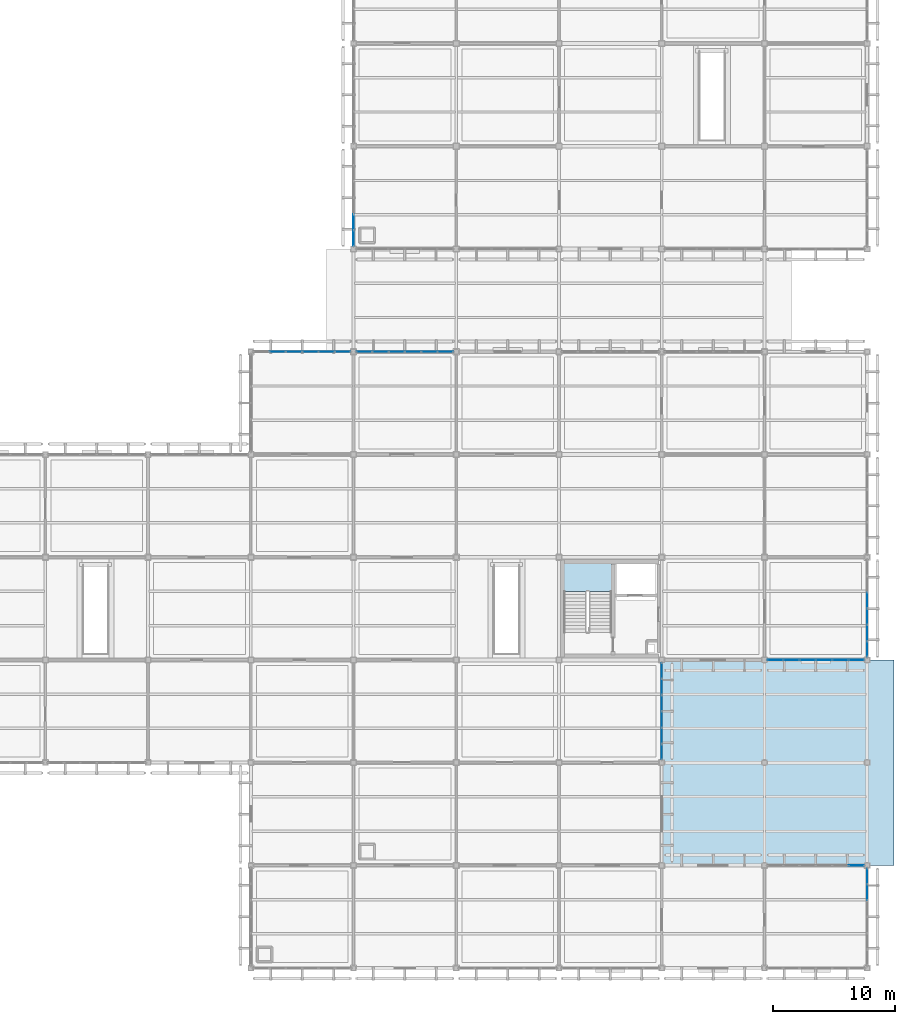
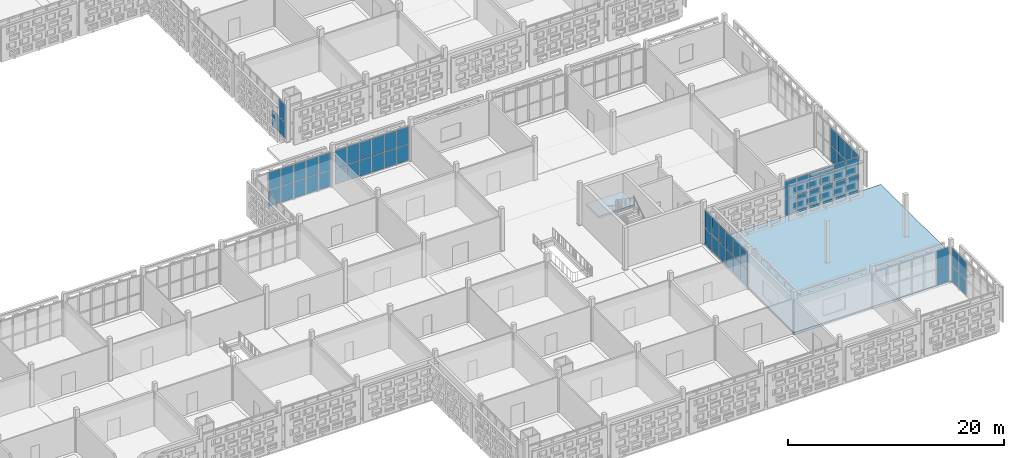
# One storey, part 103 of 203: 63 plates, 2 slabs, 9 elements without a shape of their own.
"""IFC4 building model written with IfcOpenShell, lengths in metres."""

from ifc_helpers import new_model, si_unit, direction, frame, origin, origin_2d, place, context, subcontext, project, spatial, polyline, rectangle, outline, extrude, material, layer, layer_set, type_object, element, aggregate, save


model = new_model("IFC4")

# Units and contexts
model_context = context("Model", 3, precision=1e-05, world=origin(), true_north=direction((0.0, 1.0)))
body_context = subcontext(model_context, "Body", "Model", "MODEL_VIEW")
ifc_project = project(units=[si_unit("LENGTHUNIT", "METRE"), si_unit("AREAUNIT", "SQUARE_METRE"), si_unit("VOLUMEUNIT", "CUBIC_METRE"), si_unit("PLANEANGLEUNIT", "RADIAN"), si_unit("MASSUNIT", "GRAM", prefix="KILO")], contexts=[model_context])

# Site, building, storey
site_placement = place(None, origin())
site = spatial("IfcSite", under=ifc_project, at=site_placement, CompositionType="ELEMENT")
building_placement = place(site_placement, origin())
building = spatial("IfcBuilding", under=site, at=building_placement, Name="Varnapada Polytechnic", CompositionType="ELEMENT")
storey_placement = place(building_placement, frame((0.0, 0.0, 4.800048828125)))
storey = spatial("IfcBuildingStorey", under=building, at=storey_placement, Name="L01", CompositionType="ELEMENT", Elevation=4.800048828125)

# Curtain wall, plates
ifc_material_1 = material(Name="Double low-E laminated glass", Category="glass")
ifc_layer_1 = layer(ifc_material_1, 0.159912109375)
ifc_layer_set_1 = layer_set([ifc_layer_1], Name="Double low-E laminated glass")
curtain_wall_type_1 = type_object("IfcCurtainWallType", Name="Curtain Wall CW-01", PredefinedType="NOTDEFINED", material=ifc_layer_set_1)
curtain_wall_1_placement = place(storey_placement, origin())
curtain_wall_1 = element("IfcCurtainWall", 1, at=curtain_wall_1_placement, inside=storey, type_object=curtain_wall_type_1, Name="L01 unitised curtain wall CW-01 (94)", PredefinedType="NOTDEFINED")
ifc_layer_2 = layer(ifc_material_1, 0.028076171875)
ifc_layer_set_2 = layer_set([ifc_layer_2], Name="Double low-E laminated glass")
plate_type_1 = type_object("IfcPlateType", Name="Curtain Panel PNL-01", PredefinedType="CURTAIN_PANEL", material=ifc_layer_set_2)
plate_1_placement = place(storey_placement, frame((128.1875, 50.39990234375, 0.06005859375), z_axis=(0.0, 0.0, 1.0), x_axis=(1.0, 0.0, 0.0)))
plate_1 = element("IfcPlate", 2, at=plate_1_placement, type_object=plate_type_1, Name="CW-01 panel 2.1", PredefinedType="CURTAIN_PANEL", context=body_context, shape_type="SweptSolid", body=[
    extrude(rectangle(XDim=1.2783203125, YDim=0.028076171875, at=origin_2d()), origin(), (0.0, 0.0, 1.0), 1.810791015625),
])
plate_2_placement = place(storey_placement, frame((128.1875, 50.39990234375, 1.9306640625), z_axis=(0.0, 0.0, 1.0), x_axis=(1.0, 0.0, 0.0)))
plate_2 = element("IfcPlate", 3, at=plate_2_placement, type_object=plate_type_1, Name="CW-01 panel 2.2", PredefinedType="CURTAIN_PANEL", context=body_context, shape_type="SweptSolid", body=[
    extrude(rectangle(XDim=1.2783203125, YDim=0.028076171875, at=origin_2d()), origin(), (0.0, 0.0, 1.0), 1.96923828125),
])
plate_3_placement = place(storey_placement, frame((129.52587890625, 50.39990234375, 0.06005859375), z_axis=(0.0, 0.0, 1.0), x_axis=(1.0, 0.0, 0.0)))
plate_3 = element("IfcPlate", 4, at=plate_3_placement, type_object=plate_type_1, Name="CW-01 panel 3.1", PredefinedType="CURTAIN_PANEL", context=body_context, shape_type="SweptSolid", body=[
    extrude(rectangle(XDim=1.2783203125, YDim=0.028076171875, at=origin_2d()), origin(), (0.0, 0.0, 1.0), 1.810791015625),
])
plate_4_placement = place(storey_placement, frame((129.52587890625, 50.39990234375, 1.9306640625), z_axis=(0.0, 0.0, 1.0), x_axis=(1.0, 0.0, 0.0)))
plate_4 = element("IfcPlate", 5, at=plate_4_placement, type_object=plate_type_1, Name="CW-01 panel 3.2", PredefinedType="CURTAIN_PANEL", context=body_context, shape_type="SweptSolid", body=[
    extrude(rectangle(XDim=1.2783203125, YDim=0.028076171875, at=origin_2d()), origin(), (0.0, 0.0, 1.0), 1.96923828125),
])
plate_5_placement = place(storey_placement, frame((130.8642578125, 50.39990234375, 0.06005859375), z_axis=(0.0, 0.0, 1.0), x_axis=(1.0, 0.0, 0.0)))
plate_5 = element("IfcPlate", 6, at=plate_5_placement, type_object=plate_type_1, Name="CW-01 panel 4.1", PredefinedType="CURTAIN_PANEL", context=body_context, shape_type="SweptSolid", body=[
    extrude(rectangle(XDim=1.2783203125, YDim=0.028076171875, at=origin_2d()), origin(), (0.0, 0.0, 1.0), 1.810791015625),
])
plate_6_placement = place(storey_placement, frame((130.8642578125, 50.39990234375, 1.9306640625), z_axis=(0.0, 0.0, 1.0), x_axis=(1.0, 0.0, 0.0)))
plate_6 = element("IfcPlate", 7, at=plate_6_placement, type_object=plate_type_1, Name="CW-01 panel 4.2", PredefinedType="CURTAIN_PANEL", context=body_context, shape_type="SweptSolid", body=[
    extrude(rectangle(XDim=1.2783203125, YDim=0.028076171875, at=origin_2d()), origin(), (0.0, 0.0, 1.0), 1.96923828125),
])
plate_7_placement = place(storey_placement, frame((132.202392578125, 50.39990234375, 0.06005859375), z_axis=(0.0, 0.0, 1.0), x_axis=(1.0, 0.0, 0.0)))
plate_7 = element("IfcPlate", 8, at=plate_7_placement, type_object=plate_type_1, Name="CW-01 panel 5.1", PredefinedType="CURTAIN_PANEL", context=body_context, shape_type="SweptSolid", body=[
    extrude(rectangle(XDim=1.2783203125, YDim=0.028076171875, at=origin_2d()), origin(), (0.0, 0.0, 1.0), 1.810791015625),
])
plate_8_placement = place(storey_placement, frame((132.202392578125, 50.39990234375, 1.9306640625), z_axis=(0.0, 0.0, 1.0), x_axis=(1.0, 0.0, 0.0)))
plate_8 = element("IfcPlate", 9, at=plate_8_placement, type_object=plate_type_1, Name="CW-01 panel 5.2", PredefinedType="CURTAIN_PANEL", context=body_context, shape_type="SweptSolid", body=[
    extrude(rectangle(XDim=1.2783203125, YDim=0.028076171875, at=origin_2d()), origin(), (0.0, 0.0, 1.0), 1.96923828125),
])
plate_9_placement = place(storey_placement, frame((133.52587890625, 50.39990234375, 0.06005859375), z_axis=(0.0, 0.0, 1.0), x_axis=(1.0, 0.0, 0.0)))
plate_9 = element("IfcPlate", 10, at=plate_9_placement, type_object=plate_type_1, Name="CW-01 panel 6.1", PredefinedType="CURTAIN_PANEL", context=body_context, shape_type="SweptSolid", body=[
    extrude(rectangle(XDim=1.248291015625, YDim=0.028076171875, at=origin_2d()), origin(), (0.0, 0.0, 1.0), 1.810791015625),
])
plate_10_placement = place(storey_placement, frame((133.52587890625, 50.39990234375, 1.9306640625), z_axis=(0.0, 0.0, 1.0), x_axis=(1.0, 0.0, 0.0)))
plate_10 = element("IfcPlate", 11, at=plate_10_placement, type_object=plate_type_1, Name="CW-01 panel 6.2", PredefinedType="CURTAIN_PANEL", context=body_context, shape_type="SweptSolid", body=[
    extrude(rectangle(XDim=1.248291015625, YDim=0.028076171875, at=origin_2d()), origin(), (0.0, 0.0, 1.0), 1.96923828125),
])
aggregate(curtain_wall_1, [plate_1, plate_2, plate_3, plate_4, plate_5, plate_6, plate_7, plate_8, plate_9, plate_10])

curtain_wall_2_placement = place(storey_placement, origin())
curtain_wall_2 = element("IfcCurtainWall", 12, at=curtain_wall_2_placement, inside=storey, type_object=curtain_wall_type_1, Name="L01 unitised curtain wall CW-01 (100)", PredefinedType="NOTDEFINED")
plate_11_placement = place(storey_placement, frame((135.2724609375, 50.39990234375, 0.06005859375), z_axis=(0.0, 0.0, 1.0), x_axis=(1.0, 0.0, 0.0)))
plate_11 = element("IfcPlate", 13, at=plate_11_placement, type_object=plate_type_1, Name="CW-01 panel 1.1", PredefinedType="CURTAIN_PANEL", context=body_context, shape_type="SweptSolid", body=[
    extrude(rectangle(XDim=1.2451171875, YDim=0.028076171875, at=origin_2d()), origin(), (0.0, 0.0, 1.0), 1.810791015625),
])
plate_12_placement = place(storey_placement, frame((135.2724609375, 50.39990234375, 1.9306640625), z_axis=(0.0, 0.0, 1.0), x_axis=(1.0, 0.0, 0.0)))
plate_12 = element("IfcPlate", 14, at=plate_12_placement, type_object=plate_type_1, Name="CW-01 panel 1.2", PredefinedType="CURTAIN_PANEL", context=body_context, shape_type="SweptSolid", body=[
    extrude(rectangle(XDim=1.2451171875, YDim=0.028076171875, at=origin_2d()), origin(), (0.0, 0.0, 1.0), 1.96923828125),
])
plate_13_placement = place(storey_placement, frame((136.592529296875, 50.39990234375, 0.06005859375), z_axis=(0.0, 0.0, 1.0), x_axis=(1.0, 0.0, 0.0)))
plate_13 = element("IfcPlate", 15, at=plate_13_placement, type_object=plate_type_1, Name="CW-01 panel 2.1", PredefinedType="CURTAIN_PANEL", context=body_context, shape_type="SweptSolid", body=[
    extrude(rectangle(XDim=1.27490234375, YDim=0.028076171875, at=origin_2d()), origin(), (0.0, 0.0, 1.0), 1.810791015625),
])
plate_14_placement = place(storey_placement, frame((136.592529296875, 50.39990234375, 1.9306640625), z_axis=(0.0, 0.0, 1.0), x_axis=(1.0, 0.0, 0.0)))
plate_14 = element("IfcPlate", 16, at=plate_14_placement, type_object=plate_type_1, Name="CW-01 panel 2.2", PredefinedType="CURTAIN_PANEL", context=body_context, shape_type="SweptSolid", body=[
    extrude(rectangle(XDim=1.27490234375, YDim=0.028076171875, at=origin_2d()), origin(), (0.0, 0.0, 1.0), 1.96923828125),
])
plate_15_placement = place(storey_placement, frame((137.927490234375, 50.39990234375, 0.06005859375), z_axis=(0.0, 0.0, 1.0), x_axis=(1.0, 0.0, 0.0)))
plate_15 = element("IfcPlate", 17, at=plate_15_placement, type_object=plate_type_1, Name="CW-01 panel 3.1", PredefinedType="CURTAIN_PANEL", context=body_context, shape_type="SweptSolid", body=[
    extrude(rectangle(XDim=1.27490234375, YDim=0.028076171875, at=origin_2d()), origin(), (0.0, 0.0, 1.0), 1.810791015625),
])
plate_16_placement = place(storey_placement, frame((137.927490234375, 50.39990234375, 1.9306640625), z_axis=(0.0, 0.0, 1.0), x_axis=(1.0, 0.0, 0.0)))
plate_16 = element("IfcPlate", 18, at=plate_16_placement, type_object=plate_type_1, Name="CW-01 panel 3.2", PredefinedType="CURTAIN_PANEL", context=body_context, shape_type="SweptSolid", body=[
    extrude(rectangle(XDim=1.27490234375, YDim=0.028076171875, at=origin_2d()), origin(), (0.0, 0.0, 1.0), 1.96923828125),
])
plate_17_placement = place(storey_placement, frame((139.262451171875, 50.39990234375, 0.06005859375), z_axis=(0.0, 0.0, 1.0), x_axis=(1.0, 0.0, 0.0)))
plate_17 = element("IfcPlate", 19, at=plate_17_placement, type_object=plate_type_1, Name="CW-01 panel 4.1", PredefinedType="CURTAIN_PANEL", context=body_context, shape_type="SweptSolid", body=[
    extrude(rectangle(XDim=1.27490234375, YDim=0.028076171875, at=origin_2d()), origin(), (0.0, 0.0, 1.0), 1.810791015625),
])
plate_18_placement = place(storey_placement, frame((139.262451171875, 50.39990234375, 1.9306640625), z_axis=(0.0, 0.0, 1.0), x_axis=(1.0, 0.0, 0.0)))
plate_18 = element("IfcPlate", 20, at=plate_18_placement, type_object=plate_type_1, Name="CW-01 panel 4.2", PredefinedType="CURTAIN_PANEL", context=body_context, shape_type="SweptSolid", body=[
    extrude(rectangle(XDim=1.27490234375, YDim=0.028076171875, at=origin_2d()), origin(), (0.0, 0.0, 1.0), 1.96923828125),
])
plate_19_placement = place(storey_placement, frame((140.597412109375, 50.39990234375, 0.06005859375), z_axis=(0.0, 0.0, 1.0), x_axis=(1.0, 0.0, 0.0)))
plate_19 = element("IfcPlate", 21, at=plate_19_placement, type_object=plate_type_1, Name="CW-01 panel 5.1", PredefinedType="CURTAIN_PANEL", context=body_context, shape_type="SweptSolid", body=[
    extrude(rectangle(XDim=1.27490234375, YDim=0.028076171875, at=origin_2d()), origin(), (0.0, 0.0, 1.0), 1.810791015625),
])
plate_20_placement = place(storey_placement, frame((140.597412109375, 50.39990234375, 1.9306640625), z_axis=(0.0, 0.0, 1.0), x_axis=(1.0, 0.0, 0.0)))
plate_20 = element("IfcPlate", 22, at=plate_20_placement, type_object=plate_type_1, Name="CW-01 panel 5.2", PredefinedType="CURTAIN_PANEL", context=body_context, shape_type="SweptSolid", body=[
    extrude(rectangle(XDim=1.27490234375, YDim=0.028076171875, at=origin_2d()), origin(), (0.0, 0.0, 1.0), 1.96923828125),
])
plate_21_placement = place(storey_placement, frame((141.91748046875, 50.39990234375, 0.06005859375), z_axis=(0.0, 0.0, 1.0), x_axis=(1.0, 0.0, 0.0)))
plate_21 = element("IfcPlate", 23, at=plate_21_placement, type_object=plate_type_1, Name="CW-01 panel 6.1", PredefinedType="CURTAIN_PANEL", context=body_context, shape_type="SweptSolid", body=[
    extrude(rectangle(XDim=1.2451171875, YDim=0.028076171875, at=origin_2d()), origin(), (0.0, 0.0, 1.0), 1.810791015625),
])
plate_22_placement = place(storey_placement, frame((141.91748046875, 50.39990234375, 1.9306640625), z_axis=(0.0, 0.0, 1.0), x_axis=(1.0, 0.0, 0.0)))
plate_22 = element("IfcPlate", 24, at=plate_22_placement, type_object=plate_type_1, Name="CW-01 panel 6.2", PredefinedType="CURTAIN_PANEL", context=body_context, shape_type="SweptSolid", body=[
    extrude(rectangle(XDim=1.2451171875, YDim=0.028076171875, at=origin_2d()), origin(), (0.0, 0.0, 1.0), 1.96923828125),
])
aggregate(curtain_wall_2, [plate_11, plate_12, plate_13, plate_14, plate_15, plate_16, plate_17, plate_18, plate_19, plate_20, plate_21, plate_22])

curtain_wall_3_placement = place(storey_placement, origin())
curtain_wall_3 = element("IfcCurtainWall", 25, at=curtain_wall_3_placement, inside=storey, type_object=curtain_wall_type_1, Name="L01 unitised curtain wall CW-01 (102)", PredefinedType="NOTDEFINED")
plate_23_placement = place(storey_placement, frame((134.39990234375, 59.671630859375, 0.06005859375), z_axis=(0.0, 0.0, 1.0), x_axis=(0.0, 1.0, 0.0)))
plate_23 = element("IfcPlate", 26, at=plate_23_placement, type_object=plate_type_1, Name="CW-01 panel 1.1", PredefinedType="CURTAIN_PANEL", context=body_context, shape_type="SweptSolid", body=[
    extrude(rectangle(XDim=1.243408203125, YDim=0.028076171875, at=origin_2d()), origin(), (0.0, 0.0, 1.0), 1.810791015625),
])
plate_24_placement = place(storey_placement, frame((134.39990234375, 59.671630859375, 1.9306640625), z_axis=(0.0, 0.0, 1.0), x_axis=(0.0, 1.0, 0.0)))
plate_24 = element("IfcPlate", 27, at=plate_24_placement, type_object=plate_type_1, Name="CW-01 panel 1.2", PredefinedType="CURTAIN_PANEL", context=body_context, shape_type="SweptSolid", body=[
    extrude(rectangle(XDim=1.243408203125, YDim=0.028076171875, at=origin_2d()), origin(), (0.0, 0.0, 1.0), 1.96923828125),
])
plate_25_placement = place(storey_placement, frame((134.39990234375, 60.989990234375, 0.06005859375), z_axis=(0.0, 0.0, 1.0), x_axis=(0.0, 1.0, 0.0)))
plate_25 = element("IfcPlate", 28, at=plate_25_placement, type_object=plate_type_1, Name="CW-01 panel 2.1", PredefinedType="CURTAIN_PANEL", context=body_context, shape_type="SweptSolid", body=[
    extrude(rectangle(XDim=1.2734375, YDim=0.028076171875, at=origin_2d()), origin(), (0.0, 0.0, 1.0), 1.810791015625),
])
aggregate(curtain_wall_3, [plate_23, plate_24, plate_25])

ifc_layer_3 = layer(ifc_material_1, 0.179931640625)
ifc_layer_set_3 = layer_set([ifc_layer_3], Name="Double low-E laminated glass")
curtain_wall_type_2 = type_object("IfcCurtainWallType", Name="Curtain Wall CW-04", PredefinedType="NOTDEFINED", material=ifc_layer_set_3)
curtain_wall_4_placement = place(storey_placement, origin())
curtain_wall_4 = element("IfcCurtainWall", 29, at=curtain_wall_4_placement, inside=storey, type_object=curtain_wall_type_2, Name="L01 unitised curtain wall CW-04 (110)", PredefinedType="NOTDEFINED")
ifc_layer_4 = layer(ifc_material_1, 0.031982421875)
ifc_layer_set_4 = layer_set([ifc_layer_4], Name="Double low-E laminated glass")
plate_type_2 = type_object("IfcPlateType", Name="Curtain Panel PNL-02", PredefinedType="CURTAIN_PANEL", material=ifc_layer_set_4)
plate_26_placement = place(storey_placement, frame((159.60009765625, 24.317138671875, 0.06494140625), z_axis=(0.0, 0.0, 1.0), x_axis=(0.0, -1.0, 0.0)))
plate_26 = element("IfcPlate", 30, at=plate_26_placement, type_object=plate_type_2, Name="CW-04 panel 1.1", PredefinedType="CURTAIN_PANEL", context=body_context, shape_type="SweptSolid", body=[
    extrude(rectangle(XDim=1.23583984375, YDim=0.031982421875, at=origin_2d()), origin(), (0.0, 0.0, 1.0), 1.80322265625),
])
plate_27_placement = place(storey_placement, frame((159.60009765625, 24.317138671875, 1.93310546875), z_axis=(0.0, 0.0, 1.0), x_axis=(0.0, -1.0, 0.0)))
plate_27 = element("IfcPlate", 31, at=plate_27_placement, type_object=plate_type_2, Name="CW-04 panel 1.2", PredefinedType="CURTAIN_PANEL", context=body_context, shape_type="SweptSolid", body=[
    extrude(rectangle(XDim=1.23583984375, YDim=0.031982421875, at=origin_2d()), origin(), (0.0, 0.0, 1.0), 1.961669921875),
])
plate_28_placement = place(storey_placement, frame((159.60009765625, 23.0, 0.06494140625), z_axis=(0.0, 0.0, 1.0), x_axis=(0.0, -1.0, 0.0)))
plate_28 = element("IfcPlate", 32, at=plate_28_placement, type_object=plate_type_2, Name="CW-04 panel 2.1", PredefinedType="CURTAIN_PANEL", context=body_context, shape_type="SweptSolid", body=[
    extrude(rectangle(XDim=1.268310546875, YDim=0.031982421875, at=origin_2d()), origin(), (0.0, 0.0, 1.0), 1.80322265625),
])
plate_29_placement = place(storey_placement, frame((159.60009765625, 23.0, 1.93310546875), z_axis=(0.0, 0.0, 1.0), x_axis=(0.0, -1.0, 0.0)))
plate_29 = element("IfcPlate", 33, at=plate_29_placement, type_object=plate_type_2, Name="CW-04 panel 2.2", PredefinedType="CURTAIN_PANEL", context=body_context, shape_type="SweptSolid", body=[
    extrude(rectangle(XDim=1.268310546875, YDim=0.031982421875, at=origin_2d()), origin(), (0.0, 0.0, 1.0), 1.961669921875),
])
plate_30_placement = place(storey_placement, frame((159.60009765625, 21.666748046875, 0.06494140625), z_axis=(0.0, 0.0, 1.0), x_axis=(0.0, -1.0, 0.0)))
plate_30 = element("IfcPlate", 34, at=plate_30_placement, type_object=plate_type_2, Name="CW-04 panel 3.1", PredefinedType="CURTAIN_PANEL", context=body_context, shape_type="SweptSolid", body=[
    extrude(rectangle(XDim=1.268310546875, YDim=0.031982421875, at=origin_2d()), origin(), (0.0, 0.0, 1.0), 1.80322265625),
])
plate_31_placement = place(storey_placement, frame((159.60009765625, 21.666748046875, 1.93310546875), z_axis=(0.0, 0.0, 1.0), x_axis=(0.0, -1.0, 0.0)))
plate_31 = element("IfcPlate", 35, at=plate_31_placement, type_object=plate_type_2, Name="CW-04 panel 3.2", PredefinedType="CURTAIN_PANEL", context=body_context, shape_type="SweptSolid", body=[
    extrude(rectangle(XDim=1.268310546875, YDim=0.031982421875, at=origin_2d()), origin(), (0.0, 0.0, 1.0), 1.961669921875),
])
plate_32_placement = place(storey_placement, frame((159.60009765625, 20.333251953125, 0.06494140625), z_axis=(0.0, 0.0, 1.0), x_axis=(0.0, -1.0, 0.0)))
plate_32 = element("IfcPlate", 36, at=plate_32_placement, type_object=plate_type_2, Name="CW-04 panel 4.1", PredefinedType="CURTAIN_PANEL", context=body_context, shape_type="SweptSolid", body=[
    extrude(rectangle(XDim=1.268310546875, YDim=0.031982421875, at=origin_2d()), origin(), (0.0, 0.0, 1.0), 1.80322265625),
])
plate_33_placement = place(storey_placement, frame((159.60009765625, 20.333251953125, 1.93310546875), z_axis=(0.0, 0.0, 1.0), x_axis=(0.0, -1.0, 0.0)))
plate_33 = element("IfcPlate", 37, at=plate_33_placement, type_object=plate_type_2, Name="CW-04 panel 4.2", PredefinedType="CURTAIN_PANEL", context=body_context, shape_type="SweptSolid", body=[
    extrude(rectangle(XDim=1.268310546875, YDim=0.031982421875, at=origin_2d()), origin(), (0.0, 0.0, 1.0), 1.961669921875),
])
plate_34_placement = place(storey_placement, frame((159.60009765625, 19.0, 0.06494140625), z_axis=(0.0, 0.0, 1.0), x_axis=(0.0, -1.0, 0.0)))
plate_34 = element("IfcPlate", 38, at=plate_34_placement, type_object=plate_type_2, Name="CW-04 panel 5.1", PredefinedType="CURTAIN_PANEL", context=body_context, shape_type="SweptSolid", body=[
    extrude(rectangle(XDim=1.268310546875, YDim=0.031982421875, at=origin_2d()), origin(), (0.0, 0.0, 1.0), 1.80322265625),
])
plate_35_placement = place(storey_placement, frame((159.60009765625, 19.0, 1.93310546875), z_axis=(0.0, 0.0, 1.0), x_axis=(0.0, -1.0, 0.0)))
plate_35 = element("IfcPlate", 39, at=plate_35_placement, type_object=plate_type_2, Name="CW-04 panel 5.2", PredefinedType="CURTAIN_PANEL", context=body_context, shape_type="SweptSolid", body=[
    extrude(rectangle(XDim=1.268310546875, YDim=0.031982421875, at=origin_2d()), origin(), (0.0, 0.0, 1.0), 1.961669921875),
])
plate_36_placement = place(storey_placement, frame((159.60009765625, 17.682861328125, 0.06494140625), z_axis=(0.0, 0.0, 1.0), x_axis=(0.0, -1.0, 0.0)))
plate_36 = element("IfcPlate", 40, at=plate_36_placement, type_object=plate_type_2, Name="CW-04 panel 6.1", PredefinedType="CURTAIN_PANEL", context=body_context, shape_type="SweptSolid", body=[
    extrude(rectangle(XDim=1.23583984375, YDim=0.031982421875, at=origin_2d()), origin(), (0.0, 0.0, 1.0), 1.80322265625),
])
plate_37_placement = place(storey_placement, frame((159.60009765625, 17.682861328125, 1.93310546875), z_axis=(0.0, 0.0, 1.0), x_axis=(0.0, -1.0, 0.0)))
plate_37 = element("IfcPlate", 41, at=plate_37_placement, type_object=plate_type_2, Name="CW-04 panel 6.2", PredefinedType="CURTAIN_PANEL", context=body_context, shape_type="SweptSolid", body=[
    extrude(rectangle(XDim=1.23583984375, YDim=0.031982421875, at=origin_2d()), origin(), (0.0, 0.0, 1.0), 1.961669921875),
])
aggregate(curtain_wall_4, [plate_26, plate_27, plate_28, plate_29, plate_30, plate_31, plate_32, plate_33, plate_34, plate_35, plate_36, plate_37])

curtain_wall_5_placement = place(storey_placement, origin())
curtain_wall_5 = element("IfcCurtainWall", 42, at=curtain_wall_5_placement, inside=storey, type_object=curtain_wall_type_2, Name="L01 unitised curtain wall CW-04 (116)", PredefinedType="NOTDEFINED")
plate_38_placement = place(storey_placement, frame((175.516357421875, 8.39990234375, 0.06494140625), z_axis=(0.0, 0.0, 1.0), x_axis=(1.0, 0.0, 0.0)))
plate_38 = element("IfcPlate", 43, at=plate_38_placement, type_object=plate_type_2, Name="CW-04 panel 6.1", PredefinedType="CURTAIN_PANEL", context=body_context, shape_type="SweptSolid", body=[
    extrude(rectangle(XDim=1.237548828125, YDim=0.031982421875, at=origin_2d()), origin(), (0.0, 0.0, 1.0), 1.80322265625),
])
plate_39_placement = place(storey_placement, frame((175.516357421875, 8.39990234375, 1.93310546875), z_axis=(0.0, 0.0, 1.0), x_axis=(1.0, 0.0, 0.0)))
plate_39 = element("IfcPlate", 44, at=plate_39_placement, type_object=plate_type_2, Name="CW-04 panel 6.2", PredefinedType="CURTAIN_PANEL", context=body_context, shape_type="SweptSolid", body=[
    extrude(rectangle(XDim=1.237548828125, YDim=0.031982421875, at=origin_2d()), origin(), (0.0, 0.0, 1.0), 1.961669921875),
])
aggregate(curtain_wall_5, [plate_38, plate_39])

curtain_wall_6_placement = place(storey_placement, origin())
curtain_wall_6 = element("IfcCurtainWall", 45, at=curtain_wall_6_placement, inside=storey, type_object=curtain_wall_type_2, Name="L01 unitised curtain wall CW-04 (117)", PredefinedType="NOTDEFINED")
plate_40_placement = place(storey_placement, frame((176.39990234375, 7.515380859375, 0.06494140625), z_axis=(0.0, 0.0, 1.0), x_axis=(0.0, -1.0, 0.0)))
plate_40 = element("IfcPlate", 46, at=plate_40_placement, type_object=plate_type_2, Name="CW-04 panel 1.1", PredefinedType="CURTAIN_PANEL", context=body_context, shape_type="SweptSolid", body=[
    extrude(rectangle(XDim=1.2392578125, YDim=0.031982421875, at=origin_2d()), origin(), (0.0, 0.0, 1.0), 1.80322265625),
])
plate_41_placement = place(storey_placement, frame((176.39990234375, 7.515380859375, 1.93310546875), z_axis=(0.0, 0.0, 1.0), x_axis=(0.0, -1.0, 0.0)))
plate_41 = element("IfcPlate", 47, at=plate_41_placement, type_object=plate_type_2, Name="CW-04 panel 1.2", PredefinedType="CURTAIN_PANEL", context=body_context, shape_type="SweptSolid", body=[
    extrude(rectangle(XDim=1.2392578125, YDim=0.031982421875, at=origin_2d()), origin(), (0.0, 0.0, 1.0), 1.961669921875),
])
plate_42_placement = place(storey_placement, frame((176.39990234375, 6.195068359375, 0.06494140625), z_axis=(0.0, 0.0, 1.0), x_axis=(0.0, -1.0, 0.0)))
plate_42 = element("IfcPlate", 48, at=plate_42_placement, type_object=plate_type_2, Name="CW-04 panel 2.1", PredefinedType="CURTAIN_PANEL", context=body_context, shape_type="SweptSolid", body=[
    extrude(rectangle(XDim=1.271728515625, YDim=0.031982421875, at=origin_2d()), origin(), (0.0, 0.0, 1.0), 1.80322265625),
])
plate_43_placement = place(storey_placement, frame((176.39990234375, 6.195068359375, 1.93310546875), z_axis=(0.0, 0.0, 1.0), x_axis=(0.0, -1.0, 0.0)))
plate_43 = element("IfcPlate", 49, at=plate_43_placement, type_object=plate_type_2, Name="CW-04 panel 2.2", PredefinedType="CURTAIN_PANEL", context=body_context, shape_type="SweptSolid", body=[
    extrude(rectangle(XDim=1.271728515625, YDim=0.031982421875, at=origin_2d()), origin(), (0.0, 0.0, 1.0), 1.961669921875),
])
aggregate(curtain_wall_6, [plate_40, plate_41, plate_42, plate_43])

curtain_wall_7_placement = place(storey_placement, origin())
curtain_wall_7 = element("IfcCurtainWall", 50, at=curtain_wall_7_placement, inside=storey, type_object=curtain_wall_type_2, Name="L01 unitised curtain wall CW-04 (118)", PredefinedType="NOTDEFINED")
plate_44_placement = place(storey_placement, frame((175.516357421875, 25.199951171875, 0.06494140625), z_axis=(0.0, 0.0, 1.0), x_axis=(-1.0, 0.0, 0.0)))
plate_44 = element("IfcPlate", 51, at=plate_44_placement, type_object=plate_type_2, Name="CW-04 panel 1.1", PredefinedType="CURTAIN_PANEL", context=body_context, shape_type="SweptSolid", body=[
    extrude(rectangle(XDim=1.237548828125, YDim=0.031982421875, at=origin_2d()), origin(), (0.0, 0.0, 1.0), 1.80322265625),
])
plate_45_placement = place(storey_placement, frame((175.516357421875, 25.199951171875, 1.93310546875), z_axis=(0.0, 0.0, 1.0), x_axis=(-1.0, 0.0, 0.0)))
plate_45 = element("IfcPlate", 52, at=plate_45_placement, type_object=plate_type_2, Name="CW-04 panel 1.2", PredefinedType="CURTAIN_PANEL", context=body_context, shape_type="SweptSolid", body=[
    extrude(rectangle(XDim=1.237548828125, YDim=0.031982421875, at=origin_2d()), origin(), (0.0, 0.0, 1.0), 1.961669921875),
])
plate_46_placement = place(storey_placement, frame((174.197509765625, 25.199951171875, 0.06494140625), z_axis=(0.0, 0.0, 1.0), x_axis=(-1.0, 0.0, 0.0)))
plate_46 = element("IfcPlate", 53, at=plate_46_placement, type_object=plate_type_2, Name="CW-04 panel 2.1", PredefinedType="CURTAIN_PANEL", context=body_context, shape_type="SweptSolid", body=[
    extrude(rectangle(XDim=1.27001953125, YDim=0.031982421875, at=origin_2d()), origin(), (0.0, 0.0, 1.0), 1.80322265625),
])
plate_47_placement = place(storey_placement, frame((174.197509765625, 25.199951171875, 1.93310546875), z_axis=(0.0, 0.0, 1.0), x_axis=(-1.0, 0.0, 0.0)))
plate_47 = element("IfcPlate", 54, at=plate_47_placement, type_object=plate_type_2, Name="CW-04 panel 2.2", PredefinedType="CURTAIN_PANEL", context=body_context, shape_type="SweptSolid", body=[
    extrude(rectangle(XDim=1.27001953125, YDim=0.031982421875, at=origin_2d()), origin(), (0.0, 0.0, 1.0), 1.961669921875),
])
plate_48_placement = place(storey_placement, frame((172.862548828125, 25.199951171875, 0.06494140625), z_axis=(0.0, 0.0, 1.0), x_axis=(-1.0, 0.0, 0.0)))
plate_48 = element("IfcPlate", 55, at=plate_48_placement, type_object=plate_type_2, Name="CW-04 panel 3.1", PredefinedType="CURTAIN_PANEL", context=body_context, shape_type="SweptSolid", body=[
    extrude(rectangle(XDim=1.27001953125, YDim=0.031982421875, at=origin_2d()), origin(), (0.0, 0.0, 1.0), 1.80322265625),
])
plate_49_placement = place(storey_placement, frame((172.862548828125, 25.199951171875, 1.93310546875), z_axis=(0.0, 0.0, 1.0), x_axis=(-1.0, 0.0, 0.0)))
plate_49 = element("IfcPlate", 56, at=plate_49_placement, type_object=plate_type_2, Name="CW-04 panel 3.2", PredefinedType="CURTAIN_PANEL", context=body_context, shape_type="SweptSolid", body=[
    extrude(rectangle(XDim=1.27001953125, YDim=0.031982421875, at=origin_2d()), origin(), (0.0, 0.0, 1.0), 1.961669921875),
])
plate_50_placement = place(storey_placement, frame((171.527587890625, 25.199951171875, 0.06494140625), z_axis=(0.0, 0.0, 1.0), x_axis=(-1.0, 0.0, 0.0)))
plate_50 = element("IfcPlate", 57, at=plate_50_placement, type_object=plate_type_2, Name="CW-04 panel 4.1", PredefinedType="CURTAIN_PANEL", context=body_context, shape_type="SweptSolid", body=[
    extrude(rectangle(XDim=1.27001953125, YDim=0.031982421875, at=origin_2d()), origin(), (0.0, 0.0, 1.0), 1.80322265625),
])
plate_51_placement = place(storey_placement, frame((171.527587890625, 25.199951171875, 1.93310546875), z_axis=(0.0, 0.0, 1.0), x_axis=(-1.0, 0.0, 0.0)))
plate_51 = element("IfcPlate", 58, at=plate_51_placement, type_object=plate_type_2, Name="CW-04 panel 4.2", PredefinedType="CURTAIN_PANEL", context=body_context, shape_type="SweptSolid", body=[
    extrude(rectangle(XDim=1.27001953125, YDim=0.031982421875, at=origin_2d()), origin(), (0.0, 0.0, 1.0), 1.961669921875),
])
plate_52_placement = place(storey_placement, frame((170.1923828125, 25.199951171875, 0.06494140625), z_axis=(0.0, 0.0, 1.0), x_axis=(-1.0, 0.0, 0.0)))
plate_52 = element("IfcPlate", 59, at=plate_52_placement, type_object=plate_type_2, Name="CW-04 panel 5.1", PredefinedType="CURTAIN_PANEL", context=body_context, shape_type="SweptSolid", body=[
    extrude(rectangle(XDim=1.27001953125, YDim=0.031982421875, at=origin_2d()), origin(), (0.0, 0.0, 1.0), 1.80322265625),
])
plate_53_placement = place(storey_placement, frame((170.1923828125, 25.199951171875, 1.93310546875), z_axis=(0.0, 0.0, 1.0), x_axis=(-1.0, 0.0, 0.0)))
plate_53 = element("IfcPlate", 60, at=plate_53_placement, type_object=plate_type_2, Name="CW-04 panel 5.2", PredefinedType="CURTAIN_PANEL", context=body_context, shape_type="SweptSolid", body=[
    extrude(rectangle(XDim=1.27001953125, YDim=0.031982421875, at=origin_2d()), origin(), (0.0, 0.0, 1.0), 1.961669921875),
])
plate_54_placement = place(storey_placement, frame((168.873779296875, 25.199951171875, 0.06494140625), z_axis=(0.0, 0.0, 1.0), x_axis=(-1.0, 0.0, 0.0)))
plate_54 = element("IfcPlate", 61, at=plate_54_placement, type_object=plate_type_2, Name="CW-04 panel 6.1", PredefinedType="CURTAIN_PANEL", context=body_context, shape_type="SweptSolid", body=[
    extrude(rectangle(XDim=1.237548828125, YDim=0.031982421875, at=origin_2d()), origin(), (0.0, 0.0, 1.0), 1.80322265625),
])
plate_55_placement = place(storey_placement, frame((168.873779296875, 25.199951171875, 1.93310546875), z_axis=(0.0, 0.0, 1.0), x_axis=(-1.0, 0.0, 0.0)))
plate_55 = element("IfcPlate", 62, at=plate_55_placement, type_object=plate_type_2, Name="CW-04 panel 6.2", PredefinedType="CURTAIN_PANEL", context=body_context, shape_type="SweptSolid", body=[
    extrude(rectangle(XDim=1.237548828125, YDim=0.031982421875, at=origin_2d()), origin(), (0.0, 0.0, 1.0), 1.961669921875),
])
aggregate(curtain_wall_7, [plate_44, plate_45, plate_46, plate_47, plate_48, plate_49, plate_50, plate_51, plate_52, plate_53, plate_54, plate_55])

curtain_wall_8_placement = place(storey_placement, origin())
curtain_wall_8 = element("IfcCurtainWall", 63, at=curtain_wall_8_placement, inside=storey, type_object=curtain_wall_type_2, Name="L01 unitised curtain wall CW-04 (119)", PredefinedType="NOTDEFINED")
plate_56_placement = place(storey_placement, frame((176.39990234375, 30.066650390625, 0.06494140625), z_axis=(0.0, 0.0, 1.0), x_axis=(0.0, -1.0, 0.0)))
plate_56 = element("IfcPlate", 64, at=plate_56_placement, type_object=plate_type_2, Name="CW-04 panel 3.1", PredefinedType="CURTAIN_PANEL", context=body_context, shape_type="SweptSolid", body=[
    extrude(rectangle(XDim=1.268310546875, YDim=0.031982421875, at=origin_2d()), origin(), (0.0, 0.0, 1.0), 1.80322265625),
])
plate_57_placement = place(storey_placement, frame((176.39990234375, 30.066650390625, 1.93310546875), z_axis=(0.0, 0.0, 1.0), x_axis=(0.0, -1.0, 0.0)))
plate_57 = element("IfcPlate", 65, at=plate_57_placement, type_object=plate_type_2, Name="CW-04 panel 3.2", PredefinedType="CURTAIN_PANEL", context=body_context, shape_type="SweptSolid", body=[
    extrude(rectangle(XDim=1.268310546875, YDim=0.031982421875, at=origin_2d()), origin(), (0.0, 0.0, 1.0), 1.961669921875),
])
plate_58_placement = place(storey_placement, frame((176.39990234375, 28.7333984375, 0.06494140625), z_axis=(0.0, 0.0, 1.0), x_axis=(0.0, -1.0, 0.0)))
plate_58 = element("IfcPlate", 66, at=plate_58_placement, type_object=plate_type_2, Name="CW-04 panel 4.1", PredefinedType="CURTAIN_PANEL", context=body_context, shape_type="SweptSolid", body=[
    extrude(rectangle(XDim=1.268310546875, YDim=0.031982421875, at=origin_2d()), origin(), (0.0, 0.0, 1.0), 1.80322265625),
])
plate_59_placement = place(storey_placement, frame((176.39990234375, 28.7333984375, 1.93310546875), z_axis=(0.0, 0.0, 1.0), x_axis=(0.0, -1.0, 0.0)))
plate_59 = element("IfcPlate", 67, at=plate_59_placement, type_object=plate_type_2, Name="CW-04 panel 4.2", PredefinedType="CURTAIN_PANEL", context=body_context, shape_type="SweptSolid", body=[
    extrude(rectangle(XDim=1.268310546875, YDim=0.031982421875, at=origin_2d()), origin(), (0.0, 0.0, 1.0), 1.961669921875),
])
plate_60_placement = place(storey_placement, frame((176.39990234375, 27.39990234375, 0.06494140625), z_axis=(0.0, 0.0, 1.0), x_axis=(0.0, -1.0, 0.0)))
plate_60 = element("IfcPlate", 68, at=plate_60_placement, type_object=plate_type_2, Name="CW-04 panel 5.1", PredefinedType="CURTAIN_PANEL", context=body_context, shape_type="SweptSolid", body=[
    extrude(rectangle(XDim=1.268310546875, YDim=0.031982421875, at=origin_2d()), origin(), (0.0, 0.0, 1.0), 1.80322265625),
])
plate_61_placement = place(storey_placement, frame((176.39990234375, 27.39990234375, 1.93310546875), z_axis=(0.0, 0.0, 1.0), x_axis=(0.0, -1.0, 0.0)))
plate_61 = element("IfcPlate", 69, at=plate_61_placement, type_object=plate_type_2, Name="CW-04 panel 5.2", PredefinedType="CURTAIN_PANEL", context=body_context, shape_type="SweptSolid", body=[
    extrude(rectangle(XDim=1.268310546875, YDim=0.031982421875, at=origin_2d()), origin(), (0.0, 0.0, 1.0), 1.961669921875),
])
plate_62_placement = place(storey_placement, frame((176.39990234375, 26.0830078125, 0.06494140625), z_axis=(0.0, 0.0, 1.0), x_axis=(0.0, -1.0, 0.0)))
plate_62 = element("IfcPlate", 70, at=plate_62_placement, type_object=plate_type_2, Name="CW-04 panel 6.1", PredefinedType="CURTAIN_PANEL", context=body_context, shape_type="SweptSolid", body=[
    extrude(rectangle(XDim=1.23583984375, YDim=0.031982421875, at=origin_2d()), origin(), (0.0, 0.0, 1.0), 1.80322265625),
])
plate_63_placement = place(storey_placement, frame((176.39990234375, 26.0830078125, 1.93310546875), z_axis=(0.0, 0.0, 1.0), x_axis=(0.0, -1.0, 0.0)))
plate_63 = element("IfcPlate", 71, at=plate_63_placement, type_object=plate_type_2, Name="CW-04 panel 6.2", PredefinedType="CURTAIN_PANEL", context=body_context, shape_type="SweptSolid", body=[
    extrude(rectangle(XDim=1.23583984375, YDim=0.031982421875, at=origin_2d()), origin(), (0.0, 0.0, 1.0), 1.961669921875),
])
aggregate(curtain_wall_8, [plate_56, plate_57, plate_58, plate_59, plate_60, plate_61, plate_62, plate_63])

# Slab
ifc_material_2 = material(Name="Concrete C40/50", Category="concrete")
ifc_layer_5 = layer(ifc_material_2, 0.27001953125)
ifc_layer_set_5 = layer_set([ifc_layer_5], Name="Concrete C40/50")
slab_type_1 = type_object("IfcSlabType", Name="Overhanging tropical eave roof slab RS-07", PredefinedType="ROOF", material=ifc_layer_set_5)
slab_1_placement = place(storey_placement, frame((0.0, 0.0, -0.27001953125)))
element("IfcSlab", 72, at=slab_1_placement, inside=storey, type_object=slab_type_1, Name="L01 overhanging eave roof slab 1", PredefinedType="ROOF", context=body_context, shape_type="SweptSolid", body=[
    extrude(outline(polyline([(178.60009765625, 25.199951171875), (178.60009765625, 8.39990234375), (176.419921875, 8.39990234375), (176.39990234375, 8.419921875), (159.6201171875, 8.419921875), (159.6201171875, 25.179931640625), (176.39990234375, 25.179931640625), (176.419921875, 25.199951171875), (178.60009765625, 25.199951171875)])), origin(), (0.0, 0.0, 1.0), 0.27001953125),
])

# Stair, slab
stair_type = type_object("IfcStairType", Name="Core Exit Stair ST-B", PredefinedType="HALF_TURN_STAIR", material=ifc_material_2)
stair_placement = place(storey_placement, origin())
stair = element("IfcStair", 73, at=stair_placement, inside=storey, type_object=stair_type, Name="L01 Core C6 Exit Stair", PredefinedType="HALF_TURN_STAIR")
ifc_layer_6 = layer(ifc_material_2, 0.219970703125)
ifc_layer_set_6 = layer_set([ifc_layer_6], Name="Concrete C40/50")
slab_type_2 = type_object("IfcSlabType", Name="Stair Half Landing SLD-02", PredefinedType="LANDING", material=ifc_layer_set_6)
slab_2_placement = place(storey_placement, frame((0.0, 0.0, 2.179931640625)))
slab_2 = element("IfcSlab", 74, at=slab_2_placement, type_object=slab_type_2, Name="ST-6 landing 1", PredefinedType="LANDING", context=body_context, shape_type="SweptSolid", body=[
    extrude(outline(polyline([(155.5, 30.81005859375), (155.5, 33.199951171875), (151.60009765625, 33.199951171875), (151.60009765625, 30.81005859375), (155.5, 30.81005859375)])), origin(), (0.0, 0.0, 1.0), 0.219970703125),
])
aggregate(stair, [slab_2])

save(model, "model.ifc")
